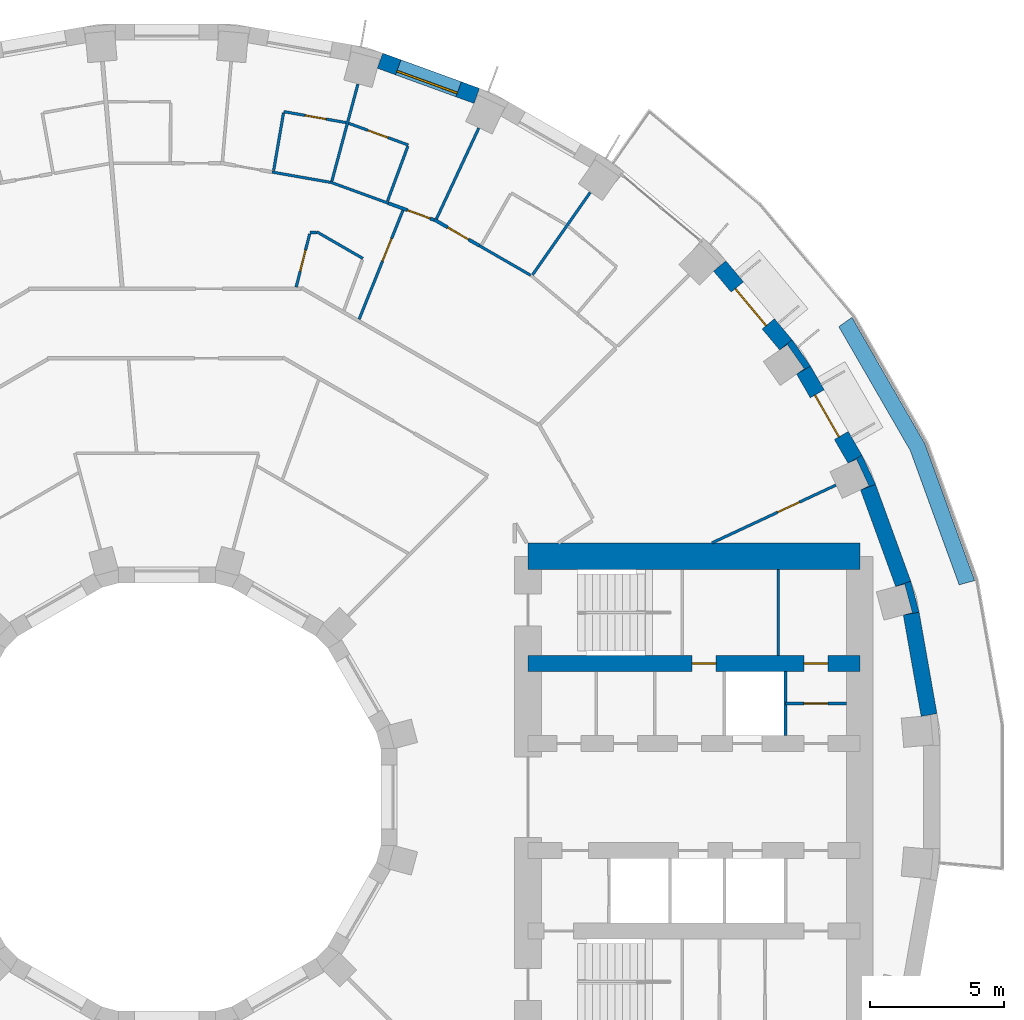
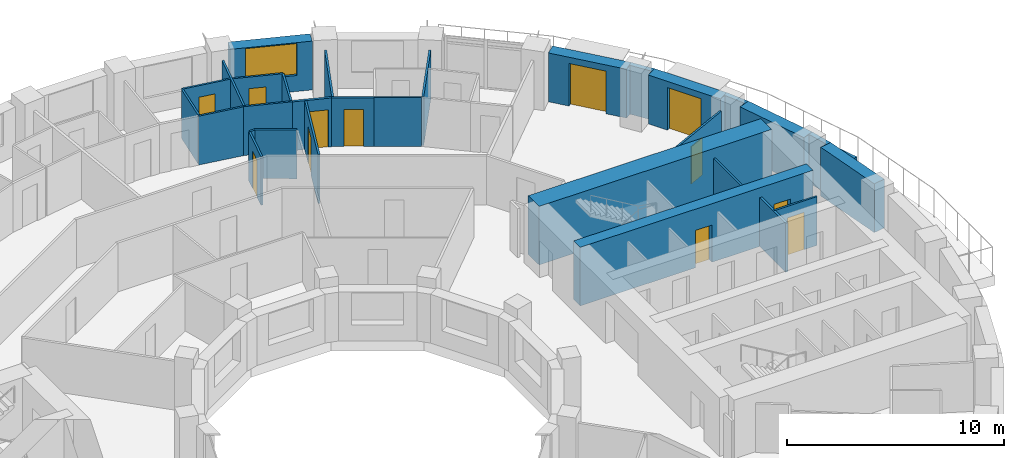
# One storey, part 13 of 15: 31 walls, 12 doors, 1 window, 13 openings.
"""IFC4 building model written with IfcOpenShell, lengths in metres."""

from ifc_helpers import new_model, si_unit, direction, frame, frame_2d, origin, place, context, subcontext, project, spatial, polyline, rectangle, outline, extrude, material, layer, layer_set, type_object, element, fill, save


model = new_model("IFC4")

# Units and contexts
model_context = context("Model", 3, precision=1e-05, world=origin(), true_north=direction((0.0, 1.0)))
body_context = subcontext(model_context, "Body", "Model", "MODEL_VIEW")
ifc_project = project(units=[si_unit("LENGTHUNIT", "METRE"), si_unit("AREAUNIT", "SQUARE_METRE"), si_unit("VOLUMEUNIT", "CUBIC_METRE"), si_unit("PLANEANGLEUNIT", "RADIAN"), si_unit("MASSUNIT", "GRAM", prefix="KILO")], contexts=[model_context])

# Site, building, storey
site_placement = place(None, origin())
site = spatial("IfcSite", under=ifc_project, at=site_placement, CompositionType="ELEMENT")
building_placement = place(site_placement, origin())
building = spatial("IfcBuilding", under=site, at=building_placement, Name="Saqina Gate Tower", CompositionType="ELEMENT")
storey_placement = place(building_placement, frame((0.0, 0.0, 62.60009765625)))
storey = spatial("IfcBuildingStorey", under=building, at=storey_placement, Name="L17", CompositionType="ELEMENT", Elevation=62.60009765625)

# Walls
ifc_material_1 = material(Name="Brick masonry (red)", Category="masonry")
wall_type_1 = type_object("IfcWallType", Name="BRICK PIER COPING RED", PredefinedType="SOLIDWALL", material=ifc_material_1)
wall_1_placement = place(storey_placement, origin())
element("IfcWall", 1, at=wall_1_placement, inside=storey, type_object=wall_type_1, Name="Pier cap L17 column 2", PredefinedType="SOLIDWALL", context=body_context, shape_type="SweptSolid", body=[
    extrude(outline(polyline([(28.11669921875, 6.910400390625), (27.80517578125, 8.073974609375), (27.2412109375, 7.86865234375), (27.57958984375, 7.95947265625), (27.864501953125, 6.896728515625), (27.52587890625, 6.80615234375), (28.11669921875, 6.910400390625)])), origin(), (0.0, 0.0, 1.0), 2.75),
])
wall_2_placement = place(storey_placement, origin())
element("IfcWall", 2, at=wall_2_placement, inside=storey, type_object=wall_type_1, Name="Pier cap L17 column 3", PredefinedType="SOLIDWALL", context=body_context, shape_type="SweptSolid", body=[
    extrude(outline(polyline([(25.980712890625, 12.779541015625), (25.4609375, 12.4794921875), (25.778564453125, 12.627685546875), (26.243408203125, 11.630615234375), (25.92578125, 11.482666015625), (26.48974609375, 11.687744140625), (25.980712890625, 12.779541015625)])), origin(), (0.0, 0.0, 1.0), 2.75),
])
wall_3_placement = place(storey_placement, origin())
element("IfcWall", 3, at=wall_3_placement, inside=storey, type_object=wall_type_1, Name="Pier cap L17 column 4", PredefinedType="SOLIDWALL", context=body_context, shape_type="SweptSolid", body=[
    extrude(outline(polyline([(24.0576171875, 16.110107421875), (23.36669921875, 17.096923828125), (22.9072265625, 16.711181640625), (23.194091796875, 16.912109375), (23.8251953125, 16.010986328125), (23.5380859375, 15.81005859375), (24.0576171875, 16.110107421875)])), origin(), (0.0, 0.0, 1.0), 2.75),
])

# Wall, opening, door
ifc_material_2 = material(Name="Gypsum board on steel studs", Category="steel")
ifc_layer_1 = layer(ifc_material_2, 0.10009765625)
ifc_layer_set_1 = layer_set([ifc_layer_1], Name="CORE PARTITION")
wall_type_2 = type_object("IfcWallType", Name="CORE PARTITION", PredefinedType="PARTITIONING", material=ifc_layer_set_1)
wall_4_placement = place(storey_placement, frame((23.1201171875, 3.5, 0.0), z_axis=(0.0, 0.0, 1.0), x_axis=(1.0, 0.0, 0.0)))
wall_4 = element("IfcWall", 4, at=wall_4_placement, inside=storey, type_object=wall_type_2, Name="L17-CP-E09", PredefinedType="PARTITIONING", context=body_context, shape_type="SweptSolid", body=[
    extrude(rectangle(XDim=2.27978515625, YDim=0.10009765625, at=frame_2d((1.139892578125, 0.0))), origin(), (0.0, 0.0, 1.0), 2.75),
])
opening_1_placement = place(wall_4_placement, frame((0.68994140625, 0.0, 0.0)))
opening_1 = element("IfcOpeningElement", 5, at=opening_1_placement, cuts=wall_4, Name="Opening G04-D96", PredefinedType="OPENING", context=body_context, shape_type="SweptSolid", body=[
    extrude(rectangle(XDim=0.89990234375, YDim=2.10009765625, at=frame_2d((0.449951171875, 1.050048828125))), frame((0.0, 0.06201171875, 0.0), z_axis=(0.0, -1.0, 0.0), x_axis=(1.0, 0.0, 0.0)), (0.0, 0.0, 1.0), 0.1240234375),
])
ifc_material_3 = material(Name="Steel-framed fire door leaf, EI 60", Category="steel")
door_type_1 = type_object("IfcDoorType", Name="SERVICE ROOM DOOR 900", OperationType="SINGLE_SWING_LEFT", PredefinedType="DOOR", material=ifc_material_3)
door_1_placement = place(opening_1_placement, origin())
door_1 = element("IfcDoor", 6, at=door_1_placement, inside=storey, type_object=door_type_1, Name="L17-CD-E07", OperationType="SINGLE_SWING_RIGHT", OverallHeight=2.10009765625, OverallWidth=0.89990234375, PredefinedType="DOOR", context=body_context, shape_type="SweptSolid", body=[
    extrude(rectangle(XDim=0.89990234375, YDim=2.10009765625, at=frame_2d((0.449951171875, 1.050048828125))), frame((0.0, 0.02490234375, 0.0), z_axis=(0.0, -1.0, 0.0), x_axis=(1.0, 0.0, 0.0)), (0.0, 0.0, 1.0), 0.050048828125),
])
fill(opening_1, door_1)

# Wall
wall_5_placement = place(storey_placement, frame((22.846435546875, 5.300048828125, 0.0), z_axis=(0.0, 0.0, 1.0), x_axis=(0.0, 1.0, 0.0)))
element("IfcWall", 7, at=wall_5_placement, inside=storey, type_object=wall_type_2, Name="L17-CP-E11", PredefinedType="PARTITIONING", context=body_context, shape_type="SweptSolid", body=[
    extrude(rectangle(XDim=3.199951171875, YDim=0.10009765625, at=frame_2d((1.60009765625, 0.0))), origin(), (0.0, 0.0, 1.0), 2.75),
])

# Wall, opening, door
ifc_material_4 = material(Name="Brick masonry (red)", Category="masonry")
ifc_layer_2 = layer(ifc_material_4, 0.60009765625)
ifc_layer_set_2 = layer_set([ifc_layer_2], Name="FW-BRICK-RED")
wall_type_3 = type_object("IfcWallType", Name="FW-BRICK-RED", PredefinedType="SOLIDWALL", material=ifc_layer_set_2)
wall_6_placement = place(storey_placement, frame((25.720703125, 12.629638671875, 0.0), z_axis=(0.0, 0.0, 1.0), x_axis=(-0.499989888488, 0.86603124159, 0.0)))
wall_6 = element("IfcWall", 8, at=wall_6_placement, inside=storey, type_object=wall_type_3, Name="Facade wall L17 facet 3", PredefinedType="SOLIDWALL", context=body_context, shape_type="SweptSolid", body=[
    extrude(rectangle(XDim=3.845703125, YDim=0.60009765625, at=frame_2d((1.9228515625, 0.0))), origin(), (0.0, 0.0, 1.0), 2.75),
])
opening_2_placement = place(wall_6_placement, frame((1.02294921875, 0.0, 0.0)))
opening_2 = element("IfcOpeningElement", 9, at=opening_2_placement, cuts=wall_6, Name="Opening G04-D80", PredefinedType="OPENING", context=body_context, shape_type="SweptSolid", body=[
    extrude(rectangle(XDim=1.800048828125, YDim=2.39990234375, at=frame_2d((0.89990234375, 1.199951171875))), frame((0.0, 0.31201171875, 0.0), z_axis=(0.0, -1.0, 0.0), x_axis=(1.0, 0.0, 0.0)), (0.0, 0.0, 1.0), 0.6240234375),
])
ifc_material_5 = material(Name="Aluminium glazing", Category="aluminium")
door_type_2 = type_object("IfcDoorType", Name="GD-A", OperationType="DOUBLE_DOOR_SINGLE_SWING", PredefinedType="DOOR", material=ifc_material_5)
door_2_placement = place(opening_2_placement, origin())
door_2 = element("IfcDoor", 10, at=door_2_placement, inside=storey, type_object=door_type_2, Name="Terrace door L17 facet 3", OperationType="DOUBLE_DOOR_SINGLE_SWING", OverallHeight=2.39990234375, OverallWidth=1.800048828125, PredefinedType="DOOR", context=body_context, shape_type="SweptSolid", body=[
    extrude(rectangle(XDim=1.800048828125, YDim=2.39990234375, at=frame_2d((0.89990234375, 1.199951171875))), frame((0.0, 0.125, 0.0), z_axis=(0.0, -1.0, 0.0), x_axis=(1.0, 0.0, 0.0)), (0.0, 0.0, 1.0), 0.050048828125),
])
fill(opening_2, door_2)

wall_7_placement = place(storey_placement, frame((23.136962890625, 16.904052734375, 0.0), z_axis=(0.0, 0.0, 1.0), x_axis=(-0.642809392687, 0.766026164483, 0.0)))
wall_7 = element("IfcWall", 11, at=wall_7_placement, inside=storey, type_object=wall_type_3, Name="Facade wall L17 facet 4", PredefinedType="SOLIDWALL", context=body_context, shape_type="SweptSolid", body=[
    extrude(rectangle(XDim=3.845947265625, YDim=0.60009765625, at=frame_2d((1.9228515625, 0.0))), origin(), (0.0, 0.0, 1.0), 2.75),
])
opening_3_placement = place(wall_7_placement, frame((1.02294921875, 0.0, 0.0)))
opening_3 = element("IfcOpeningElement", 12, at=opening_3_placement, cuts=wall_7, Name="Opening G04-D81", PredefinedType="OPENING", context=body_context, shape_type="SweptSolid", body=[
    extrude(rectangle(XDim=1.800048828125, YDim=2.39990234375, at=frame_2d((0.89990234375, 1.199951171875))), frame((0.0, 0.31201171875, 0.0), z_axis=(0.0, -1.0, 0.0), x_axis=(1.0, 0.0, 0.0)), (0.0, 0.0, 1.0), 0.6240234375),
])
door_3_placement = place(opening_3_placement, origin())
door_3 = element("IfcDoor", 13, at=door_3_placement, inside=storey, type_object=door_type_2, Name="Terrace door L17 facet 4", OperationType="DOUBLE_DOOR_SINGLE_SWING", OverallHeight=2.39990234375, OverallWidth=1.800048828125, PredefinedType="DOOR", context=body_context, shape_type="SweptSolid", body=[
    extrude(rectangle(XDim=1.800048828125, YDim=2.39990234375, at=frame_2d((0.89990234375, 1.199951171875))), frame((0.0, 0.125, 0.0), z_axis=(0.0, -1.0, 0.0), x_axis=(1.0, 0.0, 0.0)), (0.0, 0.0, 1.0), 0.050048828125),
])
fill(opening_3, door_3)

# Wall, opening, window
wall_8_placement = place(storey_placement, frame((11.585205078125, 26.207763671875, 0.0), z_axis=(0.0, 0.0, 1.0), x_axis=(-0.939689588564, 0.342028474173, 0.0)))
wall_8 = element("IfcWall", 14, at=wall_8_placement, inside=storey, type_object=wall_type_3, Name="Facade wall L17 facet 7", PredefinedType="SOLIDWALL", context=body_context, shape_type="SweptSolid", body=[
    extrude(rectangle(XDim=3.845947265625, YDim=0.60009765625, at=frame_2d((1.9228515625, 0.0))), origin(), (0.0, 0.0, 1.0), 2.75),
])
opening_4_placement = place(wall_8_placement, frame((0.722900390625, 0.0, 0.89990234375)))
opening_4 = element("IfcOpeningElement", 15, at=opening_4_placement, cuts=wall_8, Name="Opening G04-W02", PredefinedType="OPENING", context=body_context, shape_type="SweptSolid", body=[
    extrude(rectangle(XDim=2.39990234375, YDim=1.800048828125, at=frame_2d((1.199951171875, 0.89990234375))), frame((0.0, 0.31201171875, 0.0), z_axis=(0.0, -1.0, 0.0), x_axis=(1.0, 0.0, 0.0)), (0.0, 0.0, 1.0), 0.6240234375),
])
ifc_material_6 = material(Name="Aluminium glazing", Category="aluminium")
window_type = type_object("IfcWindowType", Name="WN-A", PartitioningType="SINGLE_PANEL", PredefinedType="WINDOW", material=ifc_material_6)
window_placement = place(opening_4_placement, origin())
window = element("IfcWindow", 16, at=window_placement, inside=storey, type_object=window_type, Name="Window L17 facet 7", OverallHeight=1.800048828125, OverallWidth=2.39990234375, PartitioningType="SINGLE_PANEL", PredefinedType="WINDOW", context=body_context, shape_type="SweptSolid", body=[
    extrude(rectangle(XDim=2.39990234375, YDim=1.800048828125, at=frame_2d((1.199951171875, 0.89990234375))), frame((0.0, 0.179931640625, 0.0), z_axis=(0.0, -1.0, 0.0), x_axis=(1.0, 0.0, 0.0)), (0.0, 0.0, 1.0), 0.06005859375),
])
fill(opening_4, window)

# Walls
ifc_material_7 = material(Name="Glazed ceramic tile", Category="ceramic")
ifc_layer_3 = layer(ifc_material_7, 0.60009765625)
ifc_layer_set_3 = layer_set([ifc_layer_3], Name="FW-TILE")
wall_type_4 = type_object("IfcWallType", Name="FW-TILE", PredefinedType="SOLIDWALL", material=ifc_layer_set_3)
wall_9_placement = place(storey_placement, frame((27.523193359375, 7.97119140625, 0.0), z_axis=(0.0, 0.0, 1.0), x_axis=(-0.342028474173, 0.939689588564, 0.0)))
element("IfcWall", 17, at=wall_9_placement, inside=storey, type_object=wall_type_4, Name="Facade wall L17 facet 2", PredefinedType="SOLIDWALL", context=body_context, shape_type="SweptSolid", body=[
    extrude(rectangle(XDim=3.845947265625, YDim=0.60009765625, at=frame_2d((1.9228515625, 0.0))), origin(), (0.0, 0.0, 1.0), 2.75),
])
ifc_material_8 = material(Name="Glazed ceramic tile (dark blue)", Category="ceramic")
ifc_layer_4 = layer(ifc_material_8, 0.60009765625)
ifc_layer_set_4 = layer_set([ifc_layer_4], Name="FW-TILE-CB")
wall_type_5 = type_object("IfcWallType", Name="FW-TILE-CB", PredefinedType="SOLIDWALL", material=ifc_layer_set_4)
wall_10_placement = place(storey_placement, frame((28.4892578125, 3.07080078125, 0.0), z_axis=(0.0, 0.0, 1.0), x_axis=(-0.173687553279, 0.984800809218, 0.0)))
element("IfcWall", 18, at=wall_10_placement, inside=storey, type_object=wall_type_5, Name="Facade wall L17 facet 1", PredefinedType="SOLIDWALL", context=body_context, shape_type="SweptSolid", body=[
    extrude(rectangle(XDim=3.845703125, YDim=0.60009765625, at=frame_2d((1.9228515625, 0.0))), origin(), (0.0, 0.0, 1.0), 2.75),
])
ifc_material_9 = material(Name="Gypsum board on steel studs, 100 mm", Category="steel")
ifc_layer_5 = layer(ifc_material_9, 0.10009765625)
ifc_layer_set_5 = layer_set([ifc_layer_5], Name="PARTITION 100")
wall_type_6 = type_object("IfcWallType", Name="PARTITION 100", PredefinedType="PARTITIONING", material=ifc_layer_set_5)
wall_11_placement = place(storey_placement, frame((5.60400390625, 21.12890625, 0.0), z_axis=(0.0, 0.0, 1.0), x_axis=(0.865901665176, -0.500214260339, 0.0)))
element("IfcWall", 19, at=wall_11_placement, inside=storey, type_object=wall_type_6, Name="PARTITION PW3-42", PredefinedType="PARTITIONING", context=body_context, shape_type="SweptSolid", body=[
    extrude(rectangle(XDim=1.990966796875, YDim=0.10009765625, at=frame_2d((0.99560546875, 0.0))), origin(), (0.0, 0.0, 1.0), 2.75),
])
wall_12_placement = place(storey_placement, frame((11.686767578125, 20.60693359375, 0.0), z_axis=(0.0, 0.0, 1.0), x_axis=(0.866150561987, -0.499783156949, 0.0)))
element("IfcWall", 20, at=wall_12_placement, inside=storey, type_object=wall_type_6, Name="PARTITION PW3-43", PredefinedType="PARTITIONING", context=body_context, shape_type="SweptSolid", body=[
    extrude(rectangle(XDim=2.205078125, YDim=0.10009765625, at=frame_2d((1.1025390625, 0.0))), origin(), (0.0, 0.0, 1.0), 2.75),
])
wall_13_placement = place(storey_placement, frame((6.107177734375, 22.9873046875, 0.0), z_axis=(0.0, 0.0, 1.0), x_axis=(0.939734670151, -0.34190459154, 0.0)))
element("IfcWall", 21, at=wall_13_placement, inside=storey, type_object=wall_type_6, Name="PARTITION PW3-49", PredefinedType="PARTITIONING", context=body_context, shape_type="SweptSolid", body=[
    extrude(rectangle(XDim=2.3056640625, YDim=0.10009765625, at=frame_2d((1.15283203125, 0.0))), origin(), (0.0, 0.0, 1.0), 2.75),
])

# Wall, opening, door
wall_14_placement = place(storey_placement, frame((6.799072265625, 25.182861328125, 0.0), z_axis=(0.0, 0.0, 1.0), x_axis=(0.939651971579, -0.342131805461, 0.0)))
wall_14 = element("IfcWall", 22, at=wall_14_placement, inside=storey, type_object=wall_type_6, Name="PARTITION PW3-50", PredefinedType="PARTITIONING", context=body_context, shape_type="SweptSolid", body=[
    extrude(rectangle(XDim=2.369873046875, YDim=0.10009765625, at=frame_2d((1.18505859375, 0.0))), origin(), (0.0, 0.0, 1.0), 2.75),
])
opening_5_placement = place(wall_14_placement, frame((0.760009765625, 0.0, 0.0)))
opening_5 = element("IfcOpeningElement", 23, at=opening_5_placement, cuts=wall_14, Name="Opening G04-D11", PredefinedType="OPENING", context=body_context, shape_type="SweptSolid", body=[
    extrude(rectangle(XDim=0.800048828125, YDim=2.10009765625, at=frame_2d((0.39990234375, 1.050048828125))), frame((0.0, 0.06201171875, 0.0), z_axis=(0.0, -1.0, 0.0), x_axis=(1.0, 0.0, 0.0)), (0.0, 0.0, 1.0), 0.1240234375),
])
ifc_material_10 = material(Name="Timber door leaf, 800 mm", Category="wood")
door_type_3 = type_object("IfcDoorType", Name="DOOR 800 TIMBER", OperationType="SINGLE_SWING_LEFT", PredefinedType="DOOR", material=ifc_material_10)
door_4_placement = place(opening_5_placement, origin())
door_4 = element("IfcDoor", 24, at=door_4_placement, inside=storey, type_object=door_type_3, Name="DOOR G04-D11", OperationType="SINGLE_SWING_LEFT", OverallHeight=2.10009765625, OverallWidth=0.800048828125, PredefinedType="DOOR", context=body_context, shape_type="SweptSolid", body=[
    extrude(rectangle(XDim=0.800048828125, YDim=2.10009765625, at=frame_2d((0.39990234375, 1.050048828125))), frame((0.0, 0.02490234375, 0.0), z_axis=(0.0, -1.0, 0.0), x_axis=(1.0, 0.0, 0.0)), (0.0, 0.0, 1.0), 0.050048828125),
])
fill(opening_5, door_4)

# Wall
wall_15_placement = place(storey_placement, frame((3.933837890625, 23.361572265625, 0.0), z_axis=(0.0, 0.0, 1.0), x_axis=(0.984819200986, -0.173583240462, 0.0)))
element("IfcWall", 25, at=wall_15_placement, inside=storey, type_object=wall_type_6, Name="PARTITION PW3-53", PredefinedType="PARTITIONING", context=body_context, shape_type="SweptSolid", body=[
    extrude(rectangle(XDim=2.205322265625, YDim=0.10009765625, at=frame_2d((1.1025390625, 0.0))), origin(), (0.0, 0.0, 1.0), 2.75),
])

# Wall, opening, door
wall_16_placement = place(storey_placement, frame((4.3701171875, 25.6201171875, 0.0), z_axis=(0.0, 0.0, 1.0), x_axis=(0.984804303523, -0.173667739554, 0.0)))
wall_16 = element("IfcWall", 26, at=wall_16_placement, inside=storey, type_object=wall_type_6, Name="PARTITION PW3-54", PredefinedType="PARTITIONING", context=body_context, shape_type="SweptSolid", body=[
    extrude(rectangle(XDim=2.36865234375, YDim=0.10009765625, at=frame_2d((1.184326171875, 0.0))), origin(), (0.0, 0.0, 1.0), 2.75),
])
opening_6_placement = place(wall_16_placement, frame((0.809326171875, 0.0, 0.0)))
opening_6 = element("IfcOpeningElement", 27, at=opening_6_placement, cuts=wall_16, Name="Opening G04-D13", PredefinedType="OPENING", context=body_context, shape_type="SweptSolid", body=[
    extrude(rectangle(XDim=0.800048828125, YDim=2.10009765625, at=frame_2d((0.39990234375, 1.050048828125))), frame((0.0, 0.06201171875, 0.0), z_axis=(0.0, -1.0, 0.0), x_axis=(1.0, 0.0, 0.0)), (0.0, 0.0, 1.0), 0.1240234375),
])
door_5_placement = place(opening_6_placement, origin())
door_5 = element("IfcDoor", 28, at=door_5_placement, inside=storey, type_object=door_type_3, Name="DOOR G04-D13", OperationType="SINGLE_SWING_RIGHT", OverallHeight=2.10009765625, OverallWidth=0.800048828125, PredefinedType="DOOR", context=body_context, shape_type="SweptSolid", body=[
    extrude(rectangle(XDim=0.800048828125, YDim=2.10009765625, at=frame_2d((0.39990234375, 1.050048828125))), frame((0.0, 0.02490234375, 0.0), z_axis=(0.0, -1.0, 0.0), x_axis=(1.0, 0.0, 0.0)), (0.0, 0.0, 1.0), 0.050048828125),
])
fill(opening_6, door_5)

# Wall
wall_17_placement = place(storey_placement, frame((5.35107421875, 21.10009765625, 0.0), z_axis=(0.0, 0.0, 1.0), x_axis=(1.0, 0.0, 0.0)))
element("IfcWall", 29, at=wall_17_placement, inside=storey, type_object=wall_type_6, Name="PARTITION PW3-60", PredefinedType="PARTITIONING", context=body_context, shape_type="SweptSolid", body=[
    extrude(rectangle(XDim=0.2529296875, YDim=0.10009765625, at=frame_2d((0.12646484375, 0.0))), origin(), (0.0, 0.0, 1.0), 2.75),
])

# Wall, opening, door
wall_18_placement = place(storey_placement, frame((20.373046875, 9.500244140625, 0.0), z_axis=(0.0, 0.0, 1.0), x_axis=(0.906330751784, 0.422569010187, 0.0)))
wall_18 = element("IfcWall", 30, at=wall_18_placement, inside=storey, type_object=wall_type_6, Name="PARTITION PW3-71", PredefinedType="PARTITIONING", context=body_context, shape_type="SweptSolid", body=[
    extrude(rectangle(XDim=5.11083984375, YDim=0.10009765625, at=frame_2d((2.555419921875, 0.0))), origin(), (0.0, 0.0, 1.0), 2.75),
])
opening_7_placement = place(wall_18_placement, frame((2.709228515625, 0.0, 0.0)))
opening_7 = element("IfcOpeningElement", 31, at=opening_7_placement, cuts=wall_18, Name="Opening G04-D01", PredefinedType="OPENING", context=body_context, shape_type="SweptSolid", body=[
    extrude(rectangle(XDim=0.89990234375, YDim=2.10009765625, at=frame_2d((0.449951171875, 1.050048828125))), frame((0.0, 0.06201171875, 0.0), z_axis=(0.0, -1.0, 0.0), x_axis=(1.0, 0.0, 0.0)), (0.0, 0.0, 1.0), 0.1240234375),
])
ifc_material_11 = material(Name="Timber door leaf, 900 mm", Category="wood")
door_type_4 = type_object("IfcDoorType", Name="DOOR 900 TIMBER", OperationType="SINGLE_SWING_LEFT", PredefinedType="DOOR", material=ifc_material_11)
door_6_placement = place(opening_7_placement, origin())
door_6 = element("IfcDoor", 32, at=door_6_placement, inside=storey, type_object=door_type_4, Name="DOOR G04-D01", OperationType="SINGLE_SWING_RIGHT", OverallHeight=2.10009765625, OverallWidth=0.89990234375, PredefinedType="DOOR", context=body_context, shape_type="SweptSolid", body=[
    extrude(rectangle(XDim=0.89990234375, YDim=2.10009765625, at=frame_2d((0.449951171875, 1.050048828125))), frame((0.0, 0.02490234375, 0.0), z_axis=(0.0, -1.0, 0.0), x_axis=(1.0, 0.0, 0.0)), (0.0, 0.0, 1.0), 0.050048828125),
])
fill(opening_7, door_6)

# Walls
wall_19_placement = place(storey_placement, frame((13.668701171875, 19.52099609375, 0.0), z_axis=(0.0, 0.0, 1.0), x_axis=(0.573558226361, 0.81916479476, 0.0)))
element("IfcWall", 33, at=wall_19_placement, inside=storey, type_object=wall_type_6, Name="PARTITION PW3-89", PredefinedType="PARTITIONING", context=body_context, shape_type="SweptSolid", body=[
    extrude(rectangle(XDim=3.759521484375, YDim=0.10009765625, at=frame_2d((1.8798828125, 0.0))), origin(), (0.0, 0.0, 1.0), 2.75),
])
wall_20_placement = place(storey_placement, frame((10.076904296875, 21.6083984375, 0.0), z_axis=(0.0, 0.0, 1.0), x_axis=(0.422418199687, 0.906401050624, 0.0)))
element("IfcWall", 34, at=wall_20_placement, inside=storey, type_object=wall_type_6, Name="PARTITION PW3-98", PredefinedType="PARTITIONING", context=body_context, shape_type="SweptSolid", body=[
    extrude(rectangle(XDim=3.74755859375, YDim=0.10009765625, at=frame_2d((1.873779296875, 0.0))), origin(), (0.0, 0.0, 1.0), 2.75),
])

# Wall, opening, door
wall_21_placement = place(storey_placement, frame((7.188232421875, 17.861083984375, 0.0), z_axis=(0.0, 0.0, 1.0), x_axis=(0.373452567141, 0.927649276449, 0.0)))
wall_21 = element("IfcWall", 35, at=wall_21_placement, inside=storey, type_object=wall_type_6, Name="PARTITION PW3-99", PredefinedType="PARTITIONING", context=body_context, shape_type="SweptSolid", body=[
    extrude(rectangle(XDim=4.38720703125, YDim=0.10009765625, at=frame_2d((2.193603515625, 0.0))), origin(), (0.0, 0.0, 1.0), 2.75),
])
opening_8_placement = place(wall_21_placement, frame((2.34375, 0.0, 0.0)))
opening_8 = element("IfcOpeningElement", 36, at=opening_8_placement, cuts=wall_21, Name="Opening G04-D10", PredefinedType="OPENING", context=body_context, shape_type="SweptSolid", body=[
    extrude(rectangle(XDim=0.89990234375, YDim=2.10009765625, at=frame_2d((0.449951171875, 1.050048828125))), frame((0.0, 0.06201171875, 0.0), z_axis=(0.0, -1.0, 0.0), x_axis=(1.0, 0.0, 0.0)), (0.0, 0.0, 1.0), 0.1240234375),
])
door_7_placement = place(opening_8_placement, origin())
door_7 = element("IfcDoor", 37, at=door_7_placement, inside=storey, type_object=door_type_4, Name="DOOR G04-D10", OperationType="SINGLE_SWING_LEFT", OverallHeight=2.10009765625, OverallWidth=0.89990234375, PredefinedType="DOOR", context=body_context, shape_type="SweptSolid", body=[
    extrude(rectangle(XDim=0.89990234375, YDim=2.10009765625, at=frame_2d((0.449951171875, 1.050048828125))), frame((0.0, 0.02490234375, 0.0), z_axis=(0.0, -1.0, 0.0), x_axis=(1.0, 0.0, 0.0)), (0.0, 0.0, 1.0), 0.050048828125),
])
fill(opening_8, door_7)

# Walls
wall_22_placement = place(storey_placement, frame((8.248779296875, 22.274658203125, 0.0), z_axis=(0.0, 0.0, 1.0), x_axis=(0.347437983371, 0.937702963476, 0.0)))
element("IfcWall", 38, at=wall_22_placement, inside=storey, type_object=wall_type_6, Name="PARTITION PW3-100", PredefinedType="PARTITIONING", context=body_context, shape_type="SweptSolid", body=[
    extrude(rectangle(XDim=2.186767578125, YDim=0.10009765625, at=frame_2d((1.09326171875, 0.0))), origin(), (0.0, 0.0, 1.0), 2.75),
])
wall_23_placement = place(storey_placement, frame((6.16796875, 23.018310546875, 0.0), z_axis=(0.0, 0.0, 1.0), x_axis=(0.259367918518, 0.965778588934, 0.0)))
element("IfcWall", 39, at=wall_23_placement, inside=storey, type_object=wall_type_6, Name="PARTITION PW3-105", PredefinedType="PARTITIONING", context=body_context, shape_type="SweptSolid", body=[
    extrude(rectangle(XDim=3.759521484375, YDim=0.10009765625, at=frame_2d((1.8798828125, 0.0))), origin(), (0.0, 0.0, 1.0), 2.75),
])

# Wall, opening, door
wall_24_placement = place(storey_placement, frame((4.834228515625, 19.060546875, 0.0), z_axis=(0.0, 0.0, 1.0), x_axis=(0.245583064142, 0.969375550861, 0.0)))
wall_24 = element("IfcWall", 40, at=wall_24_placement, inside=storey, type_object=wall_type_6, Name="PARTITION PW3-108", PredefinedType="PARTITIONING", context=body_context, shape_type="SweptSolid", body=[
    extrude(rectangle(XDim=2.053955078125, YDim=0.10009765625, at=frame_2d((1.02685546875, 0.0))), origin(), (0.0, 0.0, 1.0), 2.75),
])
opening_9_placement = place(wall_24_placement, frame((0.62060546875, 0.0, 0.0)))
opening_9 = element("IfcOpeningElement", 41, at=opening_9_placement, cuts=wall_24, Name="Opening G04-D12", PredefinedType="OPENING", context=body_context, shape_type="SweptSolid", body=[
    extrude(rectangle(XDim=0.800048828125, YDim=2.10009765625, at=frame_2d((0.39990234375, 1.050048828125))), frame((0.0, 0.06201171875, 0.0), z_axis=(0.0, -1.0, 0.0), x_axis=(1.0, 0.0, 0.0)), (0.0, 0.0, 1.0), 0.1240234375),
])
door_8_placement = place(opening_9_placement, origin())
door_8 = element("IfcDoor", 42, at=door_8_placement, inside=storey, type_object=door_type_3, Name="DOOR G04-D12", OperationType="SINGLE_SWING_LEFT", OverallHeight=2.10009765625, OverallWidth=0.800048828125, PredefinedType="DOOR", context=body_context, shape_type="SweptSolid", body=[
    extrude(rectangle(XDim=0.800048828125, YDim=2.10009765625, at=frame_2d((0.39990234375, 1.050048828125))), frame((0.0, 0.02490234375, 0.0), z_axis=(0.0, -1.0, 0.0), x_axis=(1.0, 0.0, 0.0)), (0.0, 0.0, 1.0), 0.050048828125),
])
fill(opening_9, door_8)

# Wall
wall_25_placement = place(storey_placement, frame((3.993408203125, 23.41455078125, 0.0), z_axis=(0.0, 0.0, 1.0), x_axis=(0.1683070432, 0.985734619058, 0.0)))
element("IfcWall", 43, at=wall_25_placement, inside=storey, type_object=wall_type_6, Name="PARTITION PW3-110", PredefinedType="PARTITIONING", context=body_context, shape_type="SweptSolid", body=[
    extrude(rectangle(XDim=2.1875, YDim=0.10009765625, at=frame_2d((1.09375, 0.0))), origin(), (0.0, 0.0, 1.0), 2.75),
])

# Wall, opening, door
ifc_material_12 = material(Name="Gypsum board on steel studs, 125 mm, fire rated", Category="steel")
ifc_layer_6 = layer(ifc_material_12, 0.125)
ifc_layer_set_6 = layer_set([ifc_layer_6], Name="PARTITION EI 30 125")
wall_type_7 = type_object("IfcWallType", Name="PARTITION EI 30 125", PredefinedType="PARTITIONING", material=ifc_layer_set_6)
wall_26_placement = place(storey_placement, frame((9.9951171875, 21.583740234375, 0.0), z_axis=(0.0, 0.0, 1.0), x_axis=(0.865996179119, -0.50005061519, 0.0)))
wall_26 = element("IfcWall", 44, at=wall_26_placement, inside=storey, type_object=wall_type_7, Name="PARTITION PW1-14", PredefinedType="PARTITIONING", context=body_context, shape_type="SweptSolid", body=[
    extrude(rectangle(XDim=1.953369140625, YDim=0.125, at=frame_2d((0.9765625, 0.0))), origin(), (0.0, 0.0, 1.0), 2.75),
])
opening_10_placement = place(wall_26_placement, frame((0.58349609375, 0.0, 0.0)))
opening_10 = element("IfcOpeningElement", 45, at=opening_10_placement, cuts=wall_26, Name="Opening G04-D08", PredefinedType="OPENING", context=body_context, shape_type="SweptSolid", body=[
    extrude(rectangle(XDim=0.89990234375, YDim=2.10009765625, at=frame_2d((0.449951171875, 1.050048828125))), frame((0.0, 0.074462890625, 0.0), z_axis=(0.0, -1.0, 0.0), x_axis=(1.0, 0.0, 0.0)), (0.0, 0.0, 1.0), 0.14892578125),
])
ifc_material_13 = material(Name="Fire door leaf EI 30, 900 mm")
door_type_5 = type_object("IfcDoorType", Name="DOOR 900 EI 30", OperationType="SINGLE_SWING_LEFT", PredefinedType="DOOR", material=ifc_material_13)
door_9_placement = place(opening_10_placement, frame((0.89990234375, 0.0, 0.0), z_axis=(0.0, 0.0, 1.0), x_axis=(-1.0, 0.0, 0.0)))
door_9 = element("IfcDoor", 46, at=door_9_placement, inside=storey, type_object=door_type_5, Name="DOOR G04-D08", OperationType="SINGLE_SWING_RIGHT", OverallHeight=2.10009765625, OverallWidth=0.89990234375, PredefinedType="DOOR", context=body_context, shape_type="SweptSolid", body=[
    extrude(rectangle(XDim=0.89990234375, YDim=2.10009765625, at=frame_2d((0.449951171875, 1.050048828125))), frame((0.0, 0.02490234375, 0.0), z_axis=(0.0, -1.0, 0.0), x_axis=(1.0, 0.0, 0.0)), (0.0, 0.0, 1.0), 0.050048828125),
])
fill(opening_10, door_9)

wall_27_placement = place(storey_placement, frame((8.27392578125, 22.198974609375, 0.0), z_axis=(0.0, 0.0, 1.0), x_axis=(0.939613884944, -0.342236390848, 0.0)))
wall_27 = element("IfcWall", 47, at=wall_27_placement, inside=storey, type_object=wall_type_7, Name="PARTITION PW1-18", PredefinedType="PARTITIONING", context=body_context, shape_type="SweptSolid", body=[
    extrude(rectangle(XDim=1.82763671875, YDim=0.125, at=frame_2d((0.913818359375, 0.0))), origin(), (0.0, 0.0, 1.0), 2.75),
])
opening_11_placement = place(wall_27_placement, frame((0.77001953125, 0.0, 0.0)))
opening_11 = element("IfcOpeningElement", 48, at=opening_11_placement, cuts=wall_27, Name="Opening G04-D09", PredefinedType="OPENING", context=body_context, shape_type="SweptSolid", body=[
    extrude(rectangle(XDim=0.89990234375, YDim=2.10009765625, at=frame_2d((0.449951171875, 1.050048828125))), frame((0.0, 0.074462890625, 0.0), z_axis=(0.0, -1.0, 0.0), x_axis=(1.0, 0.0, 0.0)), (0.0, 0.0, 1.0), 0.14892578125),
])
door_10_placement = place(opening_11_placement, frame((0.89990234375, 0.0, 0.0), z_axis=(0.0, 0.0, 1.0), x_axis=(-1.0, 0.0, 0.0)))
door_10 = element("IfcDoor", 49, at=door_10_placement, inside=storey, type_object=door_type_5, Name="DOOR G04-D09", OperationType="SINGLE_SWING_RIGHT", OverallHeight=2.10009765625, OverallWidth=0.89990234375, PredefinedType="DOOR", context=body_context, shape_type="SweptSolid", body=[
    extrude(rectangle(XDim=0.89990234375, YDim=2.10009765625, at=frame_2d((0.449951171875, 1.050048828125))), frame((0.0, 0.02490234375, 0.0), z_axis=(0.0, -1.0, 0.0), x_axis=(1.0, 0.0, 0.0)), (0.0, 0.0, 1.0), 0.050048828125),
])
fill(opening_11, door_10)

# Walls
ifc_material_14 = material(Name="Brick masonry (red)", Category="masonry")
ifc_layer_7 = layer(ifc_material_14, 0.60009765625)
ifc_layer_set_7 = layer_set([ifc_layer_7], Name="PL-PLANTER")
wall_type_8 = type_object("IfcWallType", Name="PL-PLANTER", PredefinedType="PARAPET", material=ifc_layer_set_7)
wall_28_placement = place(storey_placement, origin())
element("IfcWall", 50, at=wall_28_placement, inside=storey, type_object=wall_type_8, Name="Planter L17", PredefinedType="PARAPET", context=body_context, shape_type="SweptSolid", body=[
    extrude(outline(polyline([(30.193603515625, 8.09033203125), (28.329833984375, 13.21044921875), (25.60546875, 17.92919921875), (25.1123046875, 17.583740234375), (27.783935546875, 12.955810546875), (29.61181640625, 7.934326171875), (30.193603515625, 8.09033203125)])), origin(), (0.0, 0.0, 1.0), 0.5),
])
ifc_material_15 = material(Name="Autoclaved aerated concrete block", Category="concrete")
ifc_layer_8 = layer(ifc_material_15, 0.1201171875)
ifc_layer_set_8 = layer_set([ifc_layer_8], Name="SHAFT PARTITION")
wall_type_9 = type_object("IfcWallType", Name="SHAFT PARTITION", PredefinedType="PARTITIONING", material=ifc_layer_set_8)
wall_29_placement = place(storey_placement, frame((23.1201171875, 2.300048828125, 0.0), z_axis=(0.0, 0.0, 1.0), x_axis=(0.0, 1.0, 0.0)))
element("IfcWall", 51, at=wall_29_placement, inside=storey, type_object=wall_type_9, Name="L17-CP-E04", PredefinedType="PARTITIONING", context=body_context, shape_type="SweptSolid", body=[
    extrude(rectangle(XDim=2.39990234375, YDim=0.1201171875, at=frame_2d((1.199951171875, 0.0))), origin(), (0.0, 0.0, 1.0), 2.75),
])

# Wall, openings, doors
ifc_material_16 = material(Name="Concrete C70/85", Category="concrete")
ifc_layer_9 = layer(ifc_material_16, 0.60009765625)
ifc_layer_set_9 = layer_set([ifc_layer_9], Name="Concrete C70/85")
wall_type_10 = type_object("IfcWallType", Name="STR-CORE WALL-A-I", PredefinedType="SHEAR", material=ifc_layer_set_9)
wall_30_placement = place(storey_placement, frame((13.5, 5.0, 0.0), z_axis=(0.0, 0.0, 1.0), x_axis=(1.0, 0.0, 0.0)))
wall_30 = element("IfcWall", 52, at=wall_30_placement, inside=storey, type_object=wall_type_10, Name="CORE WALL L17 E-X1", PredefinedType="SHEAR", context=body_context, shape_type="SweptSolid", body=[
    extrude(rectangle(XDim=12.39990234375, YDim=0.60009765625, at=frame_2d((6.199951171875, 0.0))), origin(), (0.0, 0.0, 1.0), 3.2998046875),
])
opening_12_placement = place(wall_30_placement, frame((6.1298828125, 0.0, 0.0)))
opening_12 = element("IfcOpeningElement", 53, at=opening_12_placement, cuts=wall_30, Name="Opening G04-D97", PredefinedType="OPENING", context=body_context, shape_type="SweptSolid", body=[
    extrude(rectangle(XDim=0.89990234375, YDim=2.10009765625, at=frame_2d((0.449951171875, 1.050048828125))), frame((0.0, 0.31201171875, 0.0), z_axis=(0.0, -1.0, 0.0), x_axis=(1.0, 0.0, 0.0)), (0.0, 0.0, 1.0), 0.6240234375),
])
opening_13_placement = place(wall_30_placement, frame((10.31005859375, 0.0, 0.0)))
opening_13 = element("IfcOpeningElement", 54, at=opening_13_placement, cuts=wall_30, Name="Opening G04-D98", PredefinedType="OPENING", context=body_context, shape_type="SweptSolid", body=[
    extrude(rectangle(XDim=0.89990234375, YDim=2.10009765625, at=frame_2d((0.449951171875, 1.050048828125))), frame((0.0, 0.31201171875, 0.0), z_axis=(0.0, -1.0, 0.0), x_axis=(1.0, 0.0, 0.0)), (0.0, 0.0, 1.0), 0.6240234375),
])
door_11_placement = place(opening_12_placement, origin())
door_11 = element("IfcDoor", 55, at=door_11_placement, inside=storey, type_object=door_type_1, Name="L17-CD-E08", OperationType="SINGLE_SWING_LEFT", OverallHeight=2.10009765625, OverallWidth=0.89990234375, PredefinedType="DOOR", context=body_context, shape_type="SweptSolid", body=[
    extrude(rectangle(XDim=0.89990234375, YDim=2.10009765625, at=frame_2d((0.449951171875, 1.050048828125))), frame((0.0, 0.02490234375, 0.0), z_axis=(0.0, -1.0, 0.0), x_axis=(1.0, 0.0, 0.0)), (0.0, 0.0, 1.0), 0.050048828125),
])
fill(opening_12, door_11)
door_12_placement = place(opening_13_placement, origin())
door_12 = element("IfcDoor", 56, at=door_12_placement, inside=storey, type_object=door_type_1, Name="L17-CD-E09", OperationType="SINGLE_SWING_RIGHT", OverallHeight=2.10009765625, OverallWidth=0.89990234375, PredefinedType="DOOR", context=body_context, shape_type="SweptSolid", body=[
    extrude(rectangle(XDim=0.89990234375, YDim=2.10009765625, at=frame_2d((0.449951171875, 1.050048828125))), frame((0.0, 0.02490234375, 0.0), z_axis=(0.0, -1.0, 0.0), x_axis=(1.0, 0.0, 0.0)), (0.0, 0.0, 1.0), 0.050048828125),
])
fill(opening_13, door_12)

# Wall
ifc_material_17 = material(Name="Concrete C70/85", Category="concrete")
ifc_layer_10 = layer(ifc_material_17, 1.0)
ifc_layer_set_10 = layer_set([ifc_layer_10], Name="Concrete C70/85")
wall_type_11 = type_object("IfcWallType", Name="STR-CORE WALL-A-O", PredefinedType="SHEAR", material=ifc_layer_set_10)
wall_31_placement = place(storey_placement, frame((13.5, 9.0, 0.0), z_axis=(0.0, 0.0, 1.0), x_axis=(1.0, 0.0, 0.0)))
element("IfcWall", 57, at=wall_31_placement, inside=storey, type_object=wall_type_11, Name="CORE WALL L17 E-NE", PredefinedType="SHEAR", context=body_context, shape_type="SweptSolid", body=[
    extrude(rectangle(XDim=12.39990234375, YDim=1.0, at=frame_2d((6.199951171875, 0.0))), origin(), (0.0, 0.0, 1.0), 3.2998046875),
])

save(model, "model.ifc")
